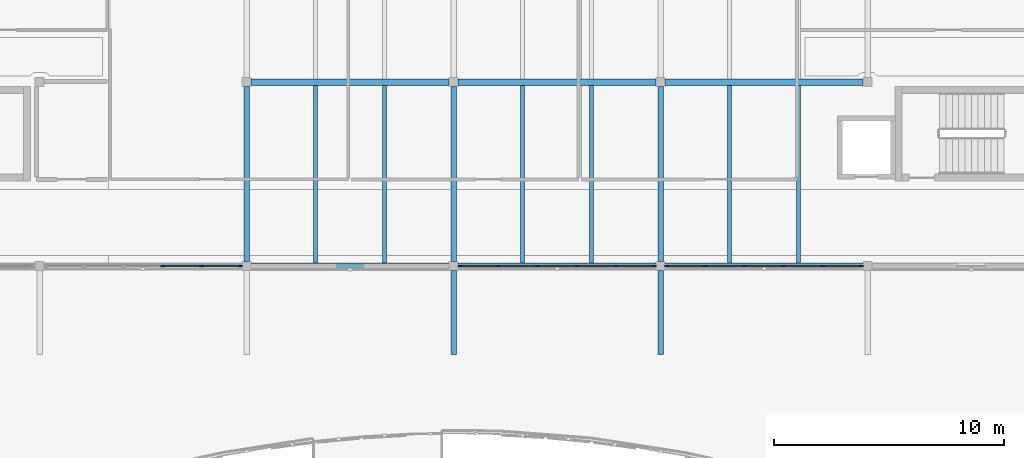
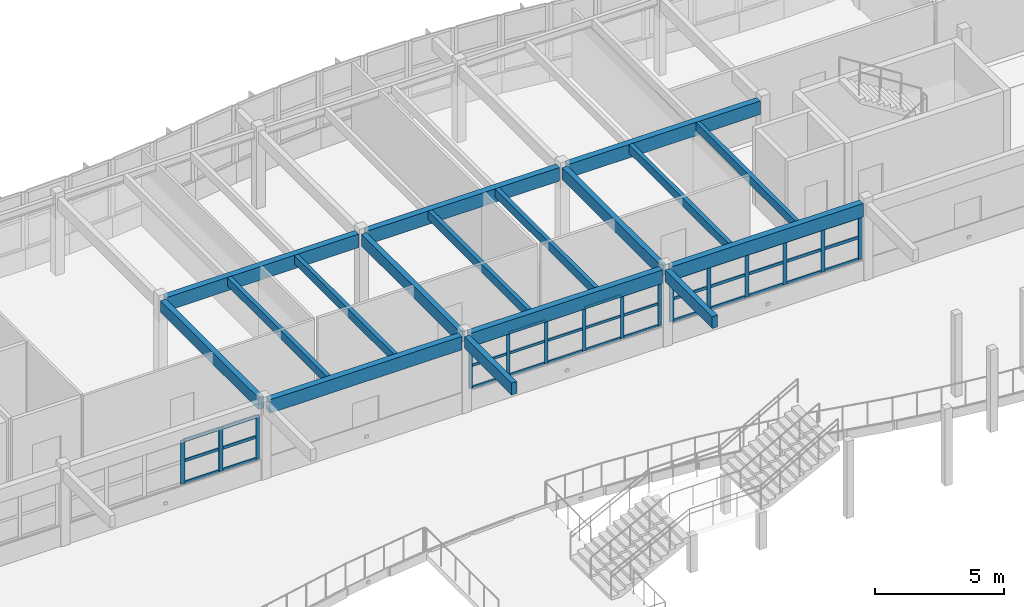
# One storey, part 17 of 63: 51 members, 17 beams, 3 elements without a shape of their own.
"""IFC4 building model written with IfcOpenShell, lengths in metres."""

import ifcopenshell
import ifcopenshell.guid

model = None  # the IFC model being written
_history = None  # IfcOwnerHistory: only IFC2X3 demands one
_inside = {}  # id of a spatial element -> (the spatial element, [elements in it])
_under = {}  # id of a project, library or spatial element -> (it, [spatial elements below it])
_declared = {}  # id of a project -> (the project, [libraries it declares])
_typed = {}  # id of a type object -> (the type object, [elements of that type])
_made_of = {}  # id of a material, layer set ... -> (it, [elements and type objects made of it])


def new_model(schema):
    """Start an empty IFC model of exactly this schema.

    Asked for "IFC4X3", IfcOpenShell would pick the latest addendum, in which some entities
    have other attributes; the version numbers below select the first issue.
    IFC2X3 requires an IfcOwnerHistory on every rooted entity: one is made here for all.
    """
    global model, _history
    if schema == "IFC4X3":
        model = ifcopenshell.file(schema_version=(4, 3, 0, 0))
    else:
        model = ifcopenshell.file(schema=schema)
    _inside.clear()
    _under.clear()
    _declared.clear()
    _typed.clear()
    _made_of.clear()
    _history = None
    if model.schema == "IFC2X3":
        org = make("IfcOrganization", Name="unknown")
        user = make(
            "IfcPersonAndOrganization",
            ThePerson=make("IfcPerson", FamilyName="unknown"),
            TheOrganization=org,
        )
        app = make(
            "IfcApplication",
            ApplicationDeveloper=org,
            Version="unknown",
            ApplicationFullName="unknown",
            ApplicationIdentifier="unknown",
        )
        _history = make(
            "IfcOwnerHistory",
            OwningUser=user,
            OwningApplication=app,
            ChangeAction="ADDED",
            CreationDate=0,
        )
    return model


def make(cls, **values):
    """One entity of the class cls with the attributes given. An attribute that is None is left unset."""
    return model.create_entity(
        cls, **{name: value for name, value in values.items() if value is not None}
    )


def rooted(cls, **values):
    """An entity with a GlobalId (a new one), such as an element, a storey or a relation."""
    return make(cls, GlobalId=ifcopenshell.guid.new(), OwnerHistory=_history, **values)


def si_unit(unit_type, name, prefix=None):
    """IfcSIUnit, for example si_unit("LENGTHUNIT", "METRE", prefix="MILLI")."""
    return make("IfcSIUnit", UnitType=unit_type, Prefix=prefix, Name=name)


def assignment(units):
    """IfcUnitAssignment: the units of a project."""
    return None if units is None else make("IfcUnitAssignment", Units=units)


def point(xyz):
    """IfcCartesianPoint."""
    return None if xyz is None else make("IfcCartesianPoint", Coordinates=xyz)


def direction(xyz):
    """IfcDirection."""
    return None if xyz is None else make("IfcDirection", DirectionRatios=xyz)


def frame(location, z_axis=None, x_axis=None):
    """IfcAxis2Placement3D, a coordinate frame: its origin and axes. An axis left out is left unset."""
    return make(
        "IfcAxis2Placement3D",
        Location=point(location),
        Axis=direction(z_axis),
        RefDirection=direction(x_axis),
    )


def frame_2d(location, x_axis=None):
    """IfcAxis2Placement2D, a coordinate frame in the plane: its origin and x axis."""
    return make(
        "IfcAxis2Placement2D", Location=point(location), RefDirection=direction(x_axis)
    )


def origin():
    """The frame at (0, 0, 0) with its axes left unset."""
    return frame((0.0, 0.0, 0.0))


def origin_2d():
    """The frame at (0, 0) in the plane with its x axis left unset."""
    return frame_2d((0.0, 0.0))


def place(relative_to, where):
    """IfcLocalPlacement: puts the frame where relative to a parent placement (None: the world)."""
    return make(
        "IfcLocalPlacement", PlacementRelTo=relative_to, RelativePlacement=where
    )


def context(
    kind, dimensions, precision=None, world=None, true_north=None, identifier=None
):
    """IfcGeometricRepresentationContext, for example the 3D "Model" context."""
    return make(
        "IfcGeometricRepresentationContext",
        ContextIdentifier=identifier,
        ContextType=kind,
        CoordinateSpaceDimension=dimensions,
        Precision=precision,
        WorldCoordinateSystem=world,
        TrueNorth=true_north,
    )


def subcontext(parent, identifier, kind, view, scale=None):
    """IfcGeometricRepresentationSubContext, for example "Body" below "Model"."""
    return make(
        "IfcGeometricRepresentationSubContext",
        ContextIdentifier=identifier,
        ContextType=kind,
        ParentContext=parent,
        TargetScale=scale,
        TargetView=view,
    )


def project(units=None, contexts=None):
    """IfcProject with its units and contexts."""
    return rooted(
        "IfcProject",
        Name="project",
        RepresentationContexts=contexts,
        UnitsInContext=assignment(units),
    )


def spatial(cls, under=None, at=None, **own):
    """A site, building, storey or space (cls), placed at a placement, below another one or the project."""
    s = rooted(cls, ObjectPlacement=at, **own)
    if under is not None:
        _under.setdefault(under.id(), (under, []))[1].append(s)
    return s


def profile(cls, at=None, kind="AREA", **sizes):
    """A parametric profile (cls). Its sizes go by their IFC names, for example OverallWidth=200.0."""
    return make(cls, ProfileType=kind, Position=at, **sizes)


def rectangle(**sizes):
    """IfcRectangleProfileDef."""
    return profile("IfcRectangleProfileDef", **sizes)


def extrude(swept, where, along, depth):
    """IfcExtrudedAreaSolid: the profile swept, set in the frame where, extruded along a direction by depth."""
    return make(
        "IfcExtrudedAreaSolid",
        SweptArea=swept,
        Position=where,
        ExtrudedDirection=direction(along),
        Depth=depth,
    )


def shape(context_of_items, identifier, shape_type, items):
    """IfcShapeRepresentation: the items that make up one representation, for example the "Body"."""
    return make(
        "IfcShapeRepresentation",
        ContextOfItems=context_of_items,
        RepresentationIdentifier=identifier,
        RepresentationType=shape_type,
        Items=items,
    )


def material(Name=None, Category=None):
    """IfcMaterial."""
    return make("IfcMaterial", Name=Name, Category=Category)


def layer(
    of_material, thickness, ventilated=None, Name=None, Category=None, Priority=None
):
    """IfcMaterialLayer: one layer of a wall or slab, of a material (None: an air gap)."""
    return make(
        "IfcMaterialLayer",
        Material=of_material,
        LayerThickness=thickness,
        IsVentilated=ventilated,
        Name=Name,
        Category=Category,
        Priority=Priority,
    )


def layer_set(layers, Name=None):
    """IfcMaterialLayerSet."""
    return make("IfcMaterialLayerSet", MaterialLayers=layers, LayerSetName=Name)


def material_profile(
    of_material, cross_section, Name=None, Category=None, Priority=None
):
    """IfcMaterialProfile: a cross section and its material."""
    return make(
        "IfcMaterialProfile",
        Name=Name,
        Material=of_material,
        Profile=cross_section,
        Priority=Priority,
        Category=Category,
    )


def profile_set(profiles, Name=None, composite=None):
    """IfcMaterialProfileSet."""
    return make(
        "IfcMaterialProfileSet",
        Name=Name,
        MaterialProfiles=profiles,
        CompositeProfile=composite,
    )


def made_of(thing, what):
    """Note that an element or type object is made of a material, layer set ...; save() writes the relation."""
    if what is not None:
        _made_of.setdefault(what.id(), (what, []))[1].append(thing)
    return thing


def type_object(cls, material=None, **own):
    """A type object (cls), such as IfcWallType, which elements share."""
    return made_of(rooted(cls, **own), material)


def element(
    cls,
    number,
    at=None,
    inside=None,
    cuts=None,
    type_object=None,
    material=None,
    context=None,
    identifier="Body",
    shape_type=None,
    held_by="IfcProductDefinitionShape",
    body=None,
    shapes=None,
    **own,
):
    """One element of the class cls, such as IfcWall. Its Tag is "e" and its number.

    at: its placement. inside: the storey or other place that contains it. cuts: it is an
    opening in that element (IfcRelVoidsElement). A single representation is given by context,
    identifier, shape_type and body (its items); several are given by shapes. held_by: the class
    of the entity that holds the representations. save() writes the other relations.
    """
    e = rooted(cls, Tag="e%d" % number, ObjectPlacement=at, **own)
    if body is not None:
        shapes = [shape(context, identifier, shape_type, body)]
    if shapes is not None:
        e.Representation = make(held_by, Representations=shapes)
    if inside is not None:
        _inside.setdefault(inside.id(), (inside, []))[1].append(e)
    if cuts is not None:
        rooted(
            "IfcRelVoidsElement", RelatingBuildingElement=cuts, RelatedOpeningElement=e
        )
    if type_object is not None:
        _typed.setdefault(type_object.id(), (type_object, []))[1].append(e)
    return made_of(e, material)


def aggregate(whole, parts):
    """IfcRelAggregates: a whole, such as a stair, and the parts it consists of."""
    return rooted("IfcRelAggregates", RelatingObject=whole, RelatedObjects=parts)


def save(model, path):
    """Write the relations noted so far, then the file.

    IfcRelAggregates (storeys below a building ...), IfcRelContainedInSpatialStructure (elements
    in a storey), IfcRelDefinesByType, IfcRelAssociatesMaterial and IfcRelDeclares: one each for
    every whole, place, type object, material and project.
    """
    for whole, parts in _under.values():
        aggregate(whole, parts)
    for where, things in _inside.values():
        rooted(
            "IfcRelContainedInSpatialStructure",
            RelatedElements=things,
            RelatingStructure=where,
        )
    for kind, things in _typed.values():
        rooted("IfcRelDefinesByType", RelatedObjects=things, RelatingType=kind)
    for what, things in _made_of.values():
        rooted("IfcRelAssociatesMaterial", RelatedObjects=things, RelatingMaterial=what)
    for by, libraries in _declared.values():
        rooted("IfcRelDeclares", RelatingContext=by, RelatedDefinitions=libraries)
    model.write(path)


model = new_model("IFC4")

# Units and contexts
model_context = context("Model", 3, precision=1e-05, world=origin(), true_north=direction((0.0, 1.0)))
body_context = subcontext(model_context, "Body", "Model", "MODEL_VIEW")
ifc_project = project(units=[si_unit("LENGTHUNIT", "METRE"), si_unit("AREAUNIT", "SQUARE_METRE"), si_unit("VOLUMEUNIT", "CUBIC_METRE"), si_unit("PLANEANGLEUNIT", "RADIAN"), si_unit("MASSUNIT", "GRAM", prefix="KILO")], contexts=[model_context])

# Site, building, storey
site_placement = place(None, origin())
site = spatial("IfcSite", under=ifc_project, at=site_placement, CompositionType="ELEMENT")
building_placement = place(site_placement, origin())
building = spatial("IfcBuilding", under=site, at=building_placement, Name="Tonlespit Floodbar School", CompositionType="ELEMENT")
storey_placement = place(building_placement, frame((0.0, 0.0, 8.39990234375)))
storey = spatial("IfcBuildingStorey", under=building, at=storey_placement, Name="L02", CompositionType="ELEMENT", Elevation=8.39990234375)

# Beams
ifc_material_1 = material(Name="Glulam GL28h", Category="wood")
ifc_material_profile_1 = material_profile(ifc_material_1, rectangle(XDim=0.239990234375, YDim=0.56005859375, at=origin_2d()), Name="GL 240x560")
ifc_profile_set_1 = profile_set([ifc_material_profile_1], Name="Glulam GL28h")
beam_type_1 = type_object("IfcBeamType", Name="Beam_GL_240x560", PredefinedType="BEAM", material=ifc_profile_set_1)
for number, where, z_axis, x_axis, name in (
    (1, (71.0, 104.199951171875, 3.3701171875), (0.0, 1.0, 0.0), (-1.0, 0.0, 0.0), "L02 girder 1037"),
    (2, (80.0, 104.199951171875, 3.3701171875), (0.0, 1.0, 0.0), (-1.0, 0.0, 0.0), "L02 girder 1039"),
    (3, (89.0, 104.199951171875, 3.3701171875), (0.0, 1.0, 0.0), (-1.0, 0.0, 0.0), "L02 girder 1041"),
):
    element("IfcBeam", number, at=place(storey_placement, frame(where, z_axis=z_axis, x_axis=x_axis)), inside=storey, type_object=beam_type_1, Name=name, PredefinedType="BEAM", context=body_context, shape_type="SweptSolid", body=[
        extrude(rectangle(XDim=0.239990234375, YDim=0.56005859375, at=origin_2d()), origin(), (0.0, 0.0, 1.0), 7.60009765625),
    ])
for number, where, z_axis, x_axis, name in (
    (4, (80.0, 103.800048828125, 3.3681640625), (0.0, -1.0, 0.0), (1.0, 0.0, 0.0), "L02 V1 curved gallery cantilever rib"),
    (5, (89.0, 103.800048828125, 3.3681640625), (0.0, -1.0, 0.0), (1.0, 0.0, 0.0), "L02 V1 curved gallery cantilever rib"),
):
    element("IfcBeam", number, at=place(storey_placement, frame(where, z_axis=z_axis, x_axis=x_axis)), inside=storey, type_object=beam_type_1, Name=name, PredefinedType="BEAM", context=body_context, shape_type="SweptSolid", body=[
        extrude(rectangle(XDim=0.239990234375, YDim=0.56005859375, at=origin_2d()), origin(), (0.0, 0.0, 1.0), 3.650146484375),
    ])
ifc_material_profile_2 = material_profile(ifc_material_1, rectangle(XDim=0.280029296875, YDim=0.639892578125, at=origin_2d()), Name="GL 280x640")
ifc_profile_set_2 = profile_set([ifc_material_profile_2], Name="Glulam GL28h")
beam_type_2 = type_object("IfcBeamType", Name="Beam_GL_280x640", PredefinedType="BEAM", material=ifc_profile_set_2)
for number, where, z_axis, x_axis, name in (
    (6, (71.199951171875, 104.0, 3.328125), (1.0, 0.0, 0.0), (0.0, 1.0, 0.0), "L02 girder 0962"),
    (7, (80.199951171875, 104.0, 3.328125), (1.0, 0.0, 0.0), (0.0, 1.0, 0.0), "L02 girder 0963"),
    (8, (89.199951171875, 104.0, 3.328125), (1.0, 0.0, 0.0), (0.0, 1.0, 0.0), "L02 girder 0964"),
    (9, (71.199951171875, 112.0, 3.330078125), (1.0, 0.0, 0.0), (0.0, 1.0, 0.0), "L02 girder 0975"),
    (10, (80.199951171875, 112.0, 3.330078125), (1.0, 0.0, 0.0), (0.0, 1.0, 0.0), "L02 girder 0976"),
    (11, (89.199951171875, 112.0, 3.330078125), (1.0, 0.0, 0.0), (0.0, 1.0, 0.0), "L02 girder 0977"),
):
    element("IfcBeam", number, at=place(storey_placement, frame(where, z_axis=z_axis, x_axis=x_axis)), inside=storey, type_object=beam_type_2, Name=name, PredefinedType="BEAM", context=body_context, shape_type="SweptSolid", body=[
        extrude(rectangle(XDim=0.280029296875, YDim=0.639892578125, at=origin_2d()), origin(), (0.0, 0.0, 1.0), 8.60009765625),
    ])

# Curtain wall, members
ifc_material_2 = material(Name="Anodised Aluminium", Category="aluminium")
ifc_layer = layer(ifc_material_2, 0.159912109375)
ifc_layer_set = layer_set([ifc_layer], Name="Anodised Aluminium")
curtain_wall_type = type_object("IfcCurtainWallType", Name="CurtainWall_8500x2050", PredefinedType="NOTDEFINED", material=ifc_layer_set)
curtain_wall_1_placement = place(storey_placement, origin())
curtain_wall_1 = element("IfcCurtainWall", 12, at=curtain_wall_1_placement, inside=storey, type_object=curtain_wall_type, Name="L02 unitised curtain wall 0120", PredefinedType="NOTDEFINED")
ifc_material_profile_3 = material_profile(ifc_material_2, rectangle(XDim=0.06494140625, YDim=0.14990234375, at=origin_2d()), Name="ALU M65x150")
ifc_profile_set_3 = profile_set([ifc_material_profile_3], Name="Anodised Aluminium")
member_type_1 = type_object("IfcMemberType", Name="CW_Mullion_65x150", PredefinedType="MULLION", material=ifc_profile_set_3)
member_1_placement = place(storey_placement, frame((88.7275390625, 104.0, 0.9501953125), z_axis=(0.0, 0.0, 1.0), x_axis=(0.0, -1.0, 0.0)))
member_1 = element("IfcMember", 13, at=member_1_placement, type_object=member_type_1, Name="CW-07 mullion 1", PredefinedType="MULLION", context=body_context, shape_type="SweptSolid", body=[
    extrude(rectangle(XDim=0.06494140625, YDim=0.14990234375, at=origin_2d()), origin(), (0.0, 0.0, 1.0), 2.057861328125),
])
member_2_placement = place(storey_placement, frame((87.055908203125, 104.0, 0.9501953125), z_axis=(0.0, 0.0, 1.0), x_axis=(0.0, -1.0, 0.0)))
member_2 = element("IfcMember", 14, at=member_2_placement, type_object=member_type_1, Name="CW-07 mullion 2", PredefinedType="MULLION", context=body_context, shape_type="SweptSolid", body=[
    extrude(rectangle(XDim=0.06494140625, YDim=0.14990234375, at=origin_2d()), origin(), (0.0, 0.0, 1.0), 2.057861328125),
])
member_3_placement = place(storey_placement, frame((85.35205078125, 104.0, 0.9501953125), z_axis=(0.0, 0.0, 1.0), x_axis=(0.0, -1.0, 0.0)))
member_3 = element("IfcMember", 15, at=member_3_placement, type_object=member_type_1, Name="CW-07 mullion 3", PredefinedType="MULLION", context=body_context, shape_type="SweptSolid", body=[
    extrude(rectangle(XDim=0.06494140625, YDim=0.14990234375, at=origin_2d()), origin(), (0.0, 0.0, 1.0), 2.057861328125),
])
member_4_placement = place(storey_placement, frame((83.64794921875, 104.0, 0.9501953125), z_axis=(0.0, 0.0, 1.0), x_axis=(0.0, -1.0, 0.0)))
member_4 = element("IfcMember", 16, at=member_4_placement, type_object=member_type_1, Name="CW-07 mullion 4", PredefinedType="MULLION", context=body_context, shape_type="SweptSolid", body=[
    extrude(rectangle(XDim=0.06494140625, YDim=0.14990234375, at=origin_2d()), origin(), (0.0, 0.0, 1.0), 2.057861328125),
])
member_5_placement = place(storey_placement, frame((81.944091796875, 104.0, 0.9501953125), z_axis=(0.0, 0.0, 1.0), x_axis=(0.0, -1.0, 0.0)))
member_5 = element("IfcMember", 17, at=member_5_placement, type_object=member_type_1, Name="CW-07 mullion 5", PredefinedType="MULLION", context=body_context, shape_type="SweptSolid", body=[
    extrude(rectangle(XDim=0.06494140625, YDim=0.14990234375, at=origin_2d()), origin(), (0.0, 0.0, 1.0), 2.057861328125),
])
member_6_placement = place(storey_placement, frame((80.2724609375, 104.0, 0.9501953125), z_axis=(0.0, 0.0, 1.0), x_axis=(0.0, -1.0, 0.0)))
member_6 = element("IfcMember", 18, at=member_6_placement, type_object=member_type_1, Name="CW-07 mullion 6", PredefinedType="MULLION", context=body_context, shape_type="SweptSolid", body=[
    extrude(rectangle(XDim=0.06494140625, YDim=0.14990234375, at=origin_2d()), origin(), (0.0, 0.0, 1.0), 2.057861328125),
])

curtain_wall_2_placement = place(storey_placement, origin())
curtain_wall_2 = element("IfcCurtainWall", 19, at=curtain_wall_2_placement, inside=storey, type_object=curtain_wall_type, Name="L02 unitised curtain wall 0119", PredefinedType="NOTDEFINED")
ifc_material_profile_4 = material_profile(ifc_material_2, rectangle(XDim=0.06494140625, YDim=0.179931640625, at=origin_2d()), Name="ALU M65x180")
ifc_profile_set_4 = profile_set([ifc_material_profile_4], Name="Anodised Aluminium")
member_type_2 = type_object("IfcMemberType", Name="CW_Mullion_65x180", PredefinedType="MULLION", material=ifc_profile_set_4)
member_7_placement = place(storey_placement, frame((97.7275390625, 104.0, 0.9501953125), z_axis=(0.0, 0.0, 1.0), x_axis=(0.0, -1.0, 0.0)))
member_7 = element("IfcMember", 20, at=member_7_placement, type_object=member_type_2, Name="CW-07 mullion 1", PredefinedType="MULLION", context=body_context, shape_type="SweptSolid", body=[
    extrude(rectangle(XDim=0.06494140625, YDim=0.179931640625, at=origin_2d()), origin(), (0.0, 0.0, 1.0), 2.057861328125),
])
member_8_placement = place(storey_placement, frame((96.055908203125, 104.0, 0.9501953125), z_axis=(0.0, 0.0, 1.0), x_axis=(0.0, -1.0, 0.0)))
member_8 = element("IfcMember", 21, at=member_8_placement, type_object=member_type_2, Name="CW-07 mullion 2", PredefinedType="MULLION", context=body_context, shape_type="SweptSolid", body=[
    extrude(rectangle(XDim=0.06494140625, YDim=0.179931640625, at=origin_2d()), origin(), (0.0, 0.0, 1.0), 2.057861328125),
])
member_9_placement = place(storey_placement, frame((94.35205078125, 104.0, 0.9501953125), z_axis=(0.0, 0.0, 1.0), x_axis=(0.0, -1.0, 0.0)))
member_9 = element("IfcMember", 22, at=member_9_placement, type_object=member_type_2, Name="CW-07 mullion 3", PredefinedType="MULLION", context=body_context, shape_type="SweptSolid", body=[
    extrude(rectangle(XDim=0.06494140625, YDim=0.179931640625, at=origin_2d()), origin(), (0.0, 0.0, 1.0), 2.057861328125),
])
member_10_placement = place(storey_placement, frame((92.64794921875, 104.0, 0.9501953125), z_axis=(0.0, 0.0, 1.0), x_axis=(0.0, -1.0, 0.0)))
member_10 = element("IfcMember", 23, at=member_10_placement, type_object=member_type_2, Name="CW-07 mullion 4", PredefinedType="MULLION", context=body_context, shape_type="SweptSolid", body=[
    extrude(rectangle(XDim=0.06494140625, YDim=0.179931640625, at=origin_2d()), origin(), (0.0, 0.0, 1.0), 2.057861328125),
])
member_11_placement = place(storey_placement, frame((90.944091796875, 104.0, 0.9501953125), z_axis=(0.0, 0.0, 1.0), x_axis=(0.0, -1.0, 0.0)))
member_11 = element("IfcMember", 24, at=member_11_placement, type_object=member_type_2, Name="CW-07 mullion 5", PredefinedType="MULLION", context=body_context, shape_type="SweptSolid", body=[
    extrude(rectangle(XDim=0.06494140625, YDim=0.179931640625, at=origin_2d()), origin(), (0.0, 0.0, 1.0), 2.057861328125),
])
member_12_placement = place(storey_placement, frame((89.2724609375, 104.0, 0.9501953125), z_axis=(0.0, 0.0, 1.0), x_axis=(0.0, -1.0, 0.0)))
member_12 = element("IfcMember", 25, at=member_12_placement, type_object=member_type_2, Name="CW-07 mullion 6", PredefinedType="MULLION", context=body_context, shape_type="SweptSolid", body=[
    extrude(rectangle(XDim=0.06494140625, YDim=0.179931640625, at=origin_2d()), origin(), (0.0, 0.0, 1.0), 2.057861328125),
])

curtain_wall_3_placement = place(storey_placement, origin())
curtain_wall_3 = element("IfcCurtainWall", 26, at=curtain_wall_3_placement, inside=storey, type_object=curtain_wall_type, Name="L02 unitised curtain wall 0121", PredefinedType="NOTDEFINED")
member_13_placement = place(storey_placement, frame((70.7275390625, 104.0, 0.9501953125), z_axis=(0.0, 0.0, 1.0), x_axis=(0.0, -1.0, 0.0)))
member_13 = element("IfcMember", 27, at=member_13_placement, type_object=member_type_2, Name="CW-07 mullion 1", PredefinedType="MULLION", context=body_context, shape_type="SweptSolid", body=[
    extrude(rectangle(XDim=0.06494140625, YDim=0.179931640625, at=origin_2d()), origin(), (0.0, 0.0, 1.0), 2.057861328125),
])
member_14_placement = place(storey_placement, frame((69.055908203125, 104.0, 0.9501953125), z_axis=(0.0, 0.0, 1.0), x_axis=(0.0, -1.0, 0.0)))
member_14 = element("IfcMember", 28, at=member_14_placement, type_object=member_type_2, Name="CW-07 mullion 2", PredefinedType="MULLION", context=body_context, shape_type="SweptSolid", body=[
    extrude(rectangle(XDim=0.06494140625, YDim=0.179931640625, at=origin_2d()), origin(), (0.0, 0.0, 1.0), 2.057861328125),
])
member_15_placement = place(storey_placement, frame((67.35205078125, 104.0, 0.9501953125), z_axis=(0.0, 0.0, 1.0), x_axis=(0.0, -1.0, 0.0)))
member_15 = element("IfcMember", 29, at=member_15_placement, type_object=member_type_2, Name="CW-07 mullion 3", PredefinedType="MULLION", context=body_context, shape_type="SweptSolid", body=[
    extrude(rectangle(XDim=0.06494140625, YDim=0.179931640625, at=origin_2d()), origin(), (0.0, 0.0, 1.0), 2.057861328125),
])

# Member
ifc_material_profile_5 = material_profile(ifc_material_2, rectangle(XDim=0.06494140625, YDim=0.1201171875, at=origin_2d()), Name="ALU T65x120")
ifc_profile_set_5 = profile_set([ifc_material_profile_5], Name="Anodised Aluminium")
member_type_3 = type_object("IfcMemberType", Name="CW_Transom_65x120", PredefinedType="USERDEFINED", material=ifc_profile_set_5)
member_16_placement = place(storey_placement, frame((88.695068359375, 104.0, 0.982666015625), z_axis=(-1.0, 0.0, 0.0), x_axis=(0.0, -1.0, 0.0)))
member_16 = element("IfcMember", 30, at=member_16_placement, type_object=member_type_3, Name="CW-07 transom 1.1", ObjectType="TRANSOM", PredefinedType="USERDEFINED", context=body_context, shape_type="SweptSolid", body=[
    extrude(rectangle(XDim=0.06494140625, YDim=0.1201171875, at=origin_2d()), origin(), (0.0, 0.0, 1.0), 1.606689453125),
])

member_17_placement = place(storey_placement, frame((88.695068359375, 104.0, 2.020263671875), z_axis=(-1.0, 0.0, 0.0), x_axis=(0.0, -1.0, 0.0)))
member_17 = element("IfcMember", 31, at=member_17_placement, type_object=member_type_3, Name="CW-07 transom 1.2", ObjectType="TRANSOM", PredefinedType="USERDEFINED", context=body_context, shape_type="SweptSolid", body=[
    extrude(rectangle(XDim=0.06494140625, YDim=0.1201171875, at=origin_2d()), origin(), (0.0, 0.0, 1.0), 1.606689453125),
])

member_18_placement = place(storey_placement, frame((88.695068359375, 104.0, 2.9755859375), z_axis=(-1.0, 0.0, 0.0), x_axis=(0.0, -1.0, 0.0)))
member_18 = element("IfcMember", 32, at=member_18_placement, type_object=member_type_3, Name="CW-07 transom 1.3", ObjectType="TRANSOM", PredefinedType="USERDEFINED", context=body_context, shape_type="SweptSolid", body=[
    extrude(rectangle(XDim=0.06494140625, YDim=0.1201171875, at=origin_2d()), origin(), (0.0, 0.0, 1.0), 1.606689453125),
])

member_19_placement = place(storey_placement, frame((87.0234375, 104.0, 0.982666015625), z_axis=(-1.0, 0.0, 0.0), x_axis=(0.0, -1.0, 0.0)))
member_19 = element("IfcMember", 33, at=member_19_placement, type_object=member_type_3, Name="CW-07 transom 2.1", ObjectType="TRANSOM", PredefinedType="USERDEFINED", context=body_context, shape_type="SweptSolid", body=[
    extrude(rectangle(XDim=0.06494140625, YDim=0.1201171875, at=origin_2d()), origin(), (0.0, 0.0, 1.0), 1.638916015625),
])

member_20_placement = place(storey_placement, frame((87.0234375, 104.0, 2.020263671875), z_axis=(-1.0, 0.0, 0.0), x_axis=(0.0, -1.0, 0.0)))
member_20 = element("IfcMember", 34, at=member_20_placement, type_object=member_type_3, Name="CW-07 transom 2.2", ObjectType="TRANSOM", PredefinedType="USERDEFINED", context=body_context, shape_type="SweptSolid", body=[
    extrude(rectangle(XDim=0.06494140625, YDim=0.1201171875, at=origin_2d()), origin(), (0.0, 0.0, 1.0), 1.638916015625),
])

member_21_placement = place(storey_placement, frame((87.0234375, 104.0, 2.9755859375), z_axis=(-1.0, 0.0, 0.0), x_axis=(0.0, -1.0, 0.0)))
member_21 = element("IfcMember", 35, at=member_21_placement, type_object=member_type_3, Name="CW-07 transom 2.3", ObjectType="TRANSOM", PredefinedType="USERDEFINED", context=body_context, shape_type="SweptSolid", body=[
    extrude(rectangle(XDim=0.06494140625, YDim=0.1201171875, at=origin_2d()), origin(), (0.0, 0.0, 1.0), 1.638916015625),
])

member_22_placement = place(storey_placement, frame((85.319580078125, 104.0, 0.982666015625), z_axis=(-1.0, 0.0, 0.0), x_axis=(0.0, -1.0, 0.0)))
member_22 = element("IfcMember", 36, at=member_22_placement, type_object=member_type_3, Name="CW-07 transom 3.1", ObjectType="TRANSOM", PredefinedType="USERDEFINED", context=body_context, shape_type="SweptSolid", body=[
    extrude(rectangle(XDim=0.06494140625, YDim=0.1201171875, at=origin_2d()), origin(), (0.0, 0.0, 1.0), 1.63916015625),
])

member_23_placement = place(storey_placement, frame((85.319580078125, 104.0, 2.020263671875), z_axis=(-1.0, 0.0, 0.0), x_axis=(0.0, -1.0, 0.0)))
member_23 = element("IfcMember", 37, at=member_23_placement, type_object=member_type_3, Name="CW-07 transom 3.2", ObjectType="TRANSOM", PredefinedType="USERDEFINED", context=body_context, shape_type="SweptSolid", body=[
    extrude(rectangle(XDim=0.06494140625, YDim=0.1201171875, at=origin_2d()), origin(), (0.0, 0.0, 1.0), 1.63916015625),
])

member_24_placement = place(storey_placement, frame((85.319580078125, 104.0, 2.9755859375), z_axis=(-1.0, 0.0, 0.0), x_axis=(0.0, -1.0, 0.0)))
member_24 = element("IfcMember", 38, at=member_24_placement, type_object=member_type_3, Name="CW-07 transom 3.3", ObjectType="TRANSOM", PredefinedType="USERDEFINED", context=body_context, shape_type="SweptSolid", body=[
    extrude(rectangle(XDim=0.06494140625, YDim=0.1201171875, at=origin_2d()), origin(), (0.0, 0.0, 1.0), 1.63916015625),
])

member_25_placement = place(storey_placement, frame((83.615478515625, 104.0, 0.982666015625), z_axis=(-1.0, 0.0, 0.0), x_axis=(0.0, -1.0, 0.0)))
member_25 = element("IfcMember", 39, at=member_25_placement, type_object=member_type_3, Name="CW-07 transom 4.1", ObjectType="TRANSOM", PredefinedType="USERDEFINED", context=body_context, shape_type="SweptSolid", body=[
    extrude(rectangle(XDim=0.06494140625, YDim=0.1201171875, at=origin_2d()), origin(), (0.0, 0.0, 1.0), 1.638916015625),
])

member_26_placement = place(storey_placement, frame((83.615478515625, 104.0, 2.020263671875), z_axis=(-1.0, 0.0, 0.0), x_axis=(0.0, -1.0, 0.0)))
member_26 = element("IfcMember", 40, at=member_26_placement, type_object=member_type_3, Name="CW-07 transom 4.2", ObjectType="TRANSOM", PredefinedType="USERDEFINED", context=body_context, shape_type="SweptSolid", body=[
    extrude(rectangle(XDim=0.06494140625, YDim=0.1201171875, at=origin_2d()), origin(), (0.0, 0.0, 1.0), 1.638916015625),
])

member_27_placement = place(storey_placement, frame((83.615478515625, 104.0, 2.9755859375), z_axis=(-1.0, 0.0, 0.0), x_axis=(0.0, -1.0, 0.0)))
member_27 = element("IfcMember", 41, at=member_27_placement, type_object=member_type_3, Name="CW-07 transom 4.3", ObjectType="TRANSOM", PredefinedType="USERDEFINED", context=body_context, shape_type="SweptSolid", body=[
    extrude(rectangle(XDim=0.06494140625, YDim=0.1201171875, at=origin_2d()), origin(), (0.0, 0.0, 1.0), 1.638916015625),
])

member_28_placement = place(storey_placement, frame((81.91162109375, 104.0, 0.982666015625), z_axis=(-1.0, 0.0, 0.0), x_axis=(0.0, -1.0, 0.0)))
member_28 = element("IfcMember", 42, at=member_28_placement, type_object=member_type_3, Name="CW-07 transom 5.1", ObjectType="TRANSOM", PredefinedType="USERDEFINED", context=body_context, shape_type="SweptSolid", body=[
    extrude(rectangle(XDim=0.06494140625, YDim=0.1201171875, at=origin_2d()), origin(), (0.0, 0.0, 1.0), 1.606689453125),
])

member_29_placement = place(storey_placement, frame((81.91162109375, 104.0, 2.020263671875), z_axis=(-1.0, 0.0, 0.0), x_axis=(0.0, -1.0, 0.0)))
member_29 = element("IfcMember", 43, at=member_29_placement, type_object=member_type_3, Name="CW-07 transom 5.2", ObjectType="TRANSOM", PredefinedType="USERDEFINED", context=body_context, shape_type="SweptSolid", body=[
    extrude(rectangle(XDim=0.06494140625, YDim=0.1201171875, at=origin_2d()), origin(), (0.0, 0.0, 1.0), 1.606689453125),
])

member_30_placement = place(storey_placement, frame((81.91162109375, 104.0, 2.9755859375), z_axis=(-1.0, 0.0, 0.0), x_axis=(0.0, -1.0, 0.0)))
member_30 = element("IfcMember", 44, at=member_30_placement, type_object=member_type_3, Name="CW-07 transom 5.3", ObjectType="TRANSOM", PredefinedType="USERDEFINED", context=body_context, shape_type="SweptSolid", body=[
    extrude(rectangle(XDim=0.06494140625, YDim=0.1201171875, at=origin_2d()), origin(), (0.0, 0.0, 1.0), 1.606689453125),
])

aggregate(curtain_wall_1, [member_1, member_2, member_3, member_4, member_5, member_6, member_16, member_17, member_18, member_19, member_20, member_21, member_22, member_23, member_24, member_25, member_26, member_27, member_28, member_29, member_30])

ifc_material_profile_6 = material_profile(ifc_material_2, rectangle(XDim=0.06494140625, YDim=0.139892578125, at=origin_2d()), Name="ALU T65x140")
ifc_profile_set_6 = profile_set([ifc_material_profile_6], Name="Anodised Aluminium")
member_type_4 = type_object("IfcMemberType", Name="CW_Transom_65x140", PredefinedType="USERDEFINED", material=ifc_profile_set_6)
member_31_placement = place(storey_placement, frame((97.695068359375, 104.0, 0.982666015625), z_axis=(-1.0, 0.0, 0.0), x_axis=(0.0, -1.0, 0.0)))
member_31 = element("IfcMember", 45, at=member_31_placement, type_object=member_type_4, Name="CW-07 transom 1.1", ObjectType="TRANSOM", PredefinedType="USERDEFINED", context=body_context, shape_type="SweptSolid", body=[
    extrude(rectangle(XDim=0.06494140625, YDim=0.139892578125, at=origin_2d()), origin(), (0.0, 0.0, 1.0), 1.606689453125),
])

member_32_placement = place(storey_placement, frame((97.695068359375, 104.0, 2.020263671875), z_axis=(-1.0, 0.0, 0.0), x_axis=(0.0, -1.0, 0.0)))
member_32 = element("IfcMember", 46, at=member_32_placement, type_object=member_type_4, Name="CW-07 transom 1.2", ObjectType="TRANSOM", PredefinedType="USERDEFINED", context=body_context, shape_type="SweptSolid", body=[
    extrude(rectangle(XDim=0.06494140625, YDim=0.139892578125, at=origin_2d()), origin(), (0.0, 0.0, 1.0), 1.606689453125),
])

member_33_placement = place(storey_placement, frame((97.695068359375, 104.0, 2.9755859375), z_axis=(-1.0, 0.0, 0.0), x_axis=(0.0, -1.0, 0.0)))
member_33 = element("IfcMember", 47, at=member_33_placement, type_object=member_type_4, Name="CW-07 transom 1.3", ObjectType="TRANSOM", PredefinedType="USERDEFINED", context=body_context, shape_type="SweptSolid", body=[
    extrude(rectangle(XDim=0.06494140625, YDim=0.139892578125, at=origin_2d()), origin(), (0.0, 0.0, 1.0), 1.606689453125),
])

member_34_placement = place(storey_placement, frame((96.0234375, 104.0, 0.982666015625), z_axis=(-1.0, 0.0, 0.0), x_axis=(0.0, -1.0, 0.0)))
member_34 = element("IfcMember", 48, at=member_34_placement, type_object=member_type_4, Name="CW-07 transom 2.1", ObjectType="TRANSOM", PredefinedType="USERDEFINED", context=body_context, shape_type="SweptSolid", body=[
    extrude(rectangle(XDim=0.06494140625, YDim=0.139892578125, at=origin_2d()), origin(), (0.0, 0.0, 1.0), 1.638916015625),
])

member_35_placement = place(storey_placement, frame((96.0234375, 104.0, 2.020263671875), z_axis=(-1.0, 0.0, 0.0), x_axis=(0.0, -1.0, 0.0)))
member_35 = element("IfcMember", 49, at=member_35_placement, type_object=member_type_4, Name="CW-07 transom 2.2", ObjectType="TRANSOM", PredefinedType="USERDEFINED", context=body_context, shape_type="SweptSolid", body=[
    extrude(rectangle(XDim=0.06494140625, YDim=0.139892578125, at=origin_2d()), origin(), (0.0, 0.0, 1.0), 1.638916015625),
])

member_36_placement = place(storey_placement, frame((96.0234375, 104.0, 2.9755859375), z_axis=(-1.0, 0.0, 0.0), x_axis=(0.0, -1.0, 0.0)))
member_36 = element("IfcMember", 50, at=member_36_placement, type_object=member_type_4, Name="CW-07 transom 2.3", ObjectType="TRANSOM", PredefinedType="USERDEFINED", context=body_context, shape_type="SweptSolid", body=[
    extrude(rectangle(XDim=0.06494140625, YDim=0.139892578125, at=origin_2d()), origin(), (0.0, 0.0, 1.0), 1.638916015625),
])

member_37_placement = place(storey_placement, frame((94.319580078125, 104.0, 0.982666015625), z_axis=(-1.0, 0.0, 0.0), x_axis=(0.0, -1.0, 0.0)))
member_37 = element("IfcMember", 51, at=member_37_placement, type_object=member_type_4, Name="CW-07 transom 3.1", ObjectType="TRANSOM", PredefinedType="USERDEFINED", context=body_context, shape_type="SweptSolid", body=[
    extrude(rectangle(XDim=0.06494140625, YDim=0.139892578125, at=origin_2d()), origin(), (0.0, 0.0, 1.0), 1.63916015625),
])

member_38_placement = place(storey_placement, frame((94.319580078125, 104.0, 2.020263671875), z_axis=(-1.0, 0.0, 0.0), x_axis=(0.0, -1.0, 0.0)))
member_38 = element("IfcMember", 52, at=member_38_placement, type_object=member_type_4, Name="CW-07 transom 3.2", ObjectType="TRANSOM", PredefinedType="USERDEFINED", context=body_context, shape_type="SweptSolid", body=[
    extrude(rectangle(XDim=0.06494140625, YDim=0.139892578125, at=origin_2d()), origin(), (0.0, 0.0, 1.0), 1.63916015625),
])

member_39_placement = place(storey_placement, frame((94.319580078125, 104.0, 2.9755859375), z_axis=(-1.0, 0.0, 0.0), x_axis=(0.0, -1.0, 0.0)))
member_39 = element("IfcMember", 53, at=member_39_placement, type_object=member_type_4, Name="CW-07 transom 3.3", ObjectType="TRANSOM", PredefinedType="USERDEFINED", context=body_context, shape_type="SweptSolid", body=[
    extrude(rectangle(XDim=0.06494140625, YDim=0.139892578125, at=origin_2d()), origin(), (0.0, 0.0, 1.0), 1.63916015625),
])

member_40_placement = place(storey_placement, frame((92.615478515625, 104.0, 0.982666015625), z_axis=(-1.0, 0.0, 0.0), x_axis=(0.0, -1.0, 0.0)))
member_40 = element("IfcMember", 54, at=member_40_placement, type_object=member_type_4, Name="CW-07 transom 4.1", ObjectType="TRANSOM", PredefinedType="USERDEFINED", context=body_context, shape_type="SweptSolid", body=[
    extrude(rectangle(XDim=0.06494140625, YDim=0.139892578125, at=origin_2d()), origin(), (0.0, 0.0, 1.0), 1.638916015625),
])

member_41_placement = place(storey_placement, frame((92.615478515625, 104.0, 2.020263671875), z_axis=(-1.0, 0.0, 0.0), x_axis=(0.0, -1.0, 0.0)))
member_41 = element("IfcMember", 55, at=member_41_placement, type_object=member_type_4, Name="CW-07 transom 4.2", ObjectType="TRANSOM", PredefinedType="USERDEFINED", context=body_context, shape_type="SweptSolid", body=[
    extrude(rectangle(XDim=0.06494140625, YDim=0.139892578125, at=origin_2d()), origin(), (0.0, 0.0, 1.0), 1.638916015625),
])

member_42_placement = place(storey_placement, frame((92.615478515625, 104.0, 2.9755859375), z_axis=(-1.0, 0.0, 0.0), x_axis=(0.0, -1.0, 0.0)))
member_42 = element("IfcMember", 56, at=member_42_placement, type_object=member_type_4, Name="CW-07 transom 4.3", ObjectType="TRANSOM", PredefinedType="USERDEFINED", context=body_context, shape_type="SweptSolid", body=[
    extrude(rectangle(XDim=0.06494140625, YDim=0.139892578125, at=origin_2d()), origin(), (0.0, 0.0, 1.0), 1.638916015625),
])

member_43_placement = place(storey_placement, frame((90.91162109375, 104.0, 0.982666015625), z_axis=(-1.0, 0.0, 0.0), x_axis=(0.0, -1.0, 0.0)))
member_43 = element("IfcMember", 57, at=member_43_placement, type_object=member_type_4, Name="CW-07 transom 5.1", ObjectType="TRANSOM", PredefinedType="USERDEFINED", context=body_context, shape_type="SweptSolid", body=[
    extrude(rectangle(XDim=0.06494140625, YDim=0.139892578125, at=origin_2d()), origin(), (0.0, 0.0, 1.0), 1.606689453125),
])

member_44_placement = place(storey_placement, frame((90.91162109375, 104.0, 2.020263671875), z_axis=(-1.0, 0.0, 0.0), x_axis=(0.0, -1.0, 0.0)))
member_44 = element("IfcMember", 58, at=member_44_placement, type_object=member_type_4, Name="CW-07 transom 5.2", ObjectType="TRANSOM", PredefinedType="USERDEFINED", context=body_context, shape_type="SweptSolid", body=[
    extrude(rectangle(XDim=0.06494140625, YDim=0.139892578125, at=origin_2d()), origin(), (0.0, 0.0, 1.0), 1.606689453125),
])

member_45_placement = place(storey_placement, frame((90.91162109375, 104.0, 2.9755859375), z_axis=(-1.0, 0.0, 0.0), x_axis=(0.0, -1.0, 0.0)))
member_45 = element("IfcMember", 59, at=member_45_placement, type_object=member_type_4, Name="CW-07 transom 5.3", ObjectType="TRANSOM", PredefinedType="USERDEFINED", context=body_context, shape_type="SweptSolid", body=[
    extrude(rectangle(XDim=0.06494140625, YDim=0.139892578125, at=origin_2d()), origin(), (0.0, 0.0, 1.0), 1.606689453125),
])

aggregate(curtain_wall_2, [member_7, member_8, member_9, member_10, member_11, member_12, member_31, member_32, member_33, member_34, member_35, member_36, member_37, member_38, member_39, member_40, member_41, member_42, member_43, member_44, member_45])

member_46_placement = place(storey_placement, frame((70.695068359375, 104.0, 0.982666015625), z_axis=(-1.0, 0.0, 0.0), x_axis=(0.0, -1.0, 0.0)))
member_46 = element("IfcMember", 60, at=member_46_placement, type_object=member_type_4, Name="CW-07 transom 1.1", ObjectType="TRANSOM", PredefinedType="USERDEFINED", context=body_context, shape_type="SweptSolid", body=[
    extrude(rectangle(XDim=0.06494140625, YDim=0.139892578125, at=origin_2d()), origin(), (0.0, 0.0, 1.0), 1.606689453125),
])

member_47_placement = place(storey_placement, frame((70.695068359375, 104.0, 2.020263671875), z_axis=(-1.0, 0.0, 0.0), x_axis=(0.0, -1.0, 0.0)))
member_47 = element("IfcMember", 61, at=member_47_placement, type_object=member_type_4, Name="CW-07 transom 1.2", ObjectType="TRANSOM", PredefinedType="USERDEFINED", context=body_context, shape_type="SweptSolid", body=[
    extrude(rectangle(XDim=0.06494140625, YDim=0.139892578125, at=origin_2d()), origin(), (0.0, 0.0, 1.0), 1.606689453125),
])

member_48_placement = place(storey_placement, frame((70.695068359375, 104.0, 2.9755859375), z_axis=(-1.0, 0.0, 0.0), x_axis=(0.0, -1.0, 0.0)))
member_48 = element("IfcMember", 62, at=member_48_placement, type_object=member_type_4, Name="CW-07 transom 1.3", ObjectType="TRANSOM", PredefinedType="USERDEFINED", context=body_context, shape_type="SweptSolid", body=[
    extrude(rectangle(XDim=0.06494140625, YDim=0.139892578125, at=origin_2d()), origin(), (0.0, 0.0, 1.0), 1.606689453125),
])

member_49_placement = place(storey_placement, frame((69.0234375, 104.0, 0.982666015625), z_axis=(-1.0, 0.0, 0.0), x_axis=(0.0, -1.0, 0.0)))
member_49 = element("IfcMember", 63, at=member_49_placement, type_object=member_type_4, Name="CW-07 transom 2.1", ObjectType="TRANSOM", PredefinedType="USERDEFINED", context=body_context, shape_type="SweptSolid", body=[
    extrude(rectangle(XDim=0.06494140625, YDim=0.139892578125, at=origin_2d()), origin(), (0.0, 0.0, 1.0), 1.638916015625),
])

member_50_placement = place(storey_placement, frame((69.0234375, 104.0, 2.020263671875), z_axis=(-1.0, 0.0, 0.0), x_axis=(0.0, -1.0, 0.0)))
member_50 = element("IfcMember", 64, at=member_50_placement, type_object=member_type_4, Name="CW-07 transom 2.2", ObjectType="TRANSOM", PredefinedType="USERDEFINED", context=body_context, shape_type="SweptSolid", body=[
    extrude(rectangle(XDim=0.06494140625, YDim=0.139892578125, at=origin_2d()), origin(), (0.0, 0.0, 1.0), 1.638916015625),
])

member_51_placement = place(storey_placement, frame((69.0234375, 104.0, 2.9755859375), z_axis=(-1.0, 0.0, 0.0), x_axis=(0.0, -1.0, 0.0)))
member_51 = element("IfcMember", 65, at=member_51_placement, type_object=member_type_4, Name="CW-07 transom 2.3", ObjectType="TRANSOM", PredefinedType="USERDEFINED", context=body_context, shape_type="SweptSolid", body=[
    extrude(rectangle(XDim=0.06494140625, YDim=0.139892578125, at=origin_2d()), origin(), (0.0, 0.0, 1.0), 1.638916015625),
])

aggregate(curtain_wall_3, [member_13, member_14, member_15, member_46, member_47, member_48, member_49, member_50, member_51])

# Beams
ifc_material_profile_7 = material_profile(ifc_material_1, rectangle(XDim=0.179931640625, YDim=0.39990234375, at=origin_2d()), Name="GL 180x400")
ifc_profile_set_7 = profile_set([ifc_material_profile_7], Name="Glulam GL28h")
beam_type_3 = type_object("IfcBeamType", Name="Joist_GL_180x400", PredefinedType="JOIST", material=ifc_profile_set_7)
for number, where, z_axis, x_axis, name in (
    (66, (74.0, 104.139892578125, 3.447998046875), (0.0, 1.0, 0.0), (-1.0, 0.0, 0.0), "L02 secondary joist 1109"),
    (67, (77.0, 104.139892578125, 3.447998046875), (0.0, 1.0, 0.0), (-1.0, 0.0, 0.0), "L02 secondary joist 1110"),
    (68, (83.0, 104.139892578125, 3.447998046875), (0.0, 1.0, 0.0), (-1.0, 0.0, 0.0), "L02 secondary joist 1111"),
    (69, (86.0, 104.139892578125, 3.447998046875), (0.0, 1.0, 0.0), (-1.0, 0.0, 0.0), "L02 secondary joist 1112"),
    (70, (92.0, 104.139892578125, 3.447998046875), (0.0, 1.0, 0.0), (-1.0, 0.0, 0.0), "L02 secondary joist 1113"),
    (71, (95.0, 104.139892578125, 3.447998046875), (0.0, 1.0, 0.0), (-1.0, 0.0, 0.0), "L02 secondary joist 1114"),
):
    element("IfcBeam", number, at=place(storey_placement, frame(where, z_axis=z_axis, x_axis=x_axis)), inside=storey, type_object=beam_type_3, Name=name, PredefinedType="JOIST", context=body_context, shape_type="SweptSolid", body=[
        extrude(rectangle(XDim=0.179931640625, YDim=0.39990234375, at=origin_2d()), origin(), (0.0, 0.0, 1.0), 7.72021484375),
    ])

save(model, "model.ifc")
